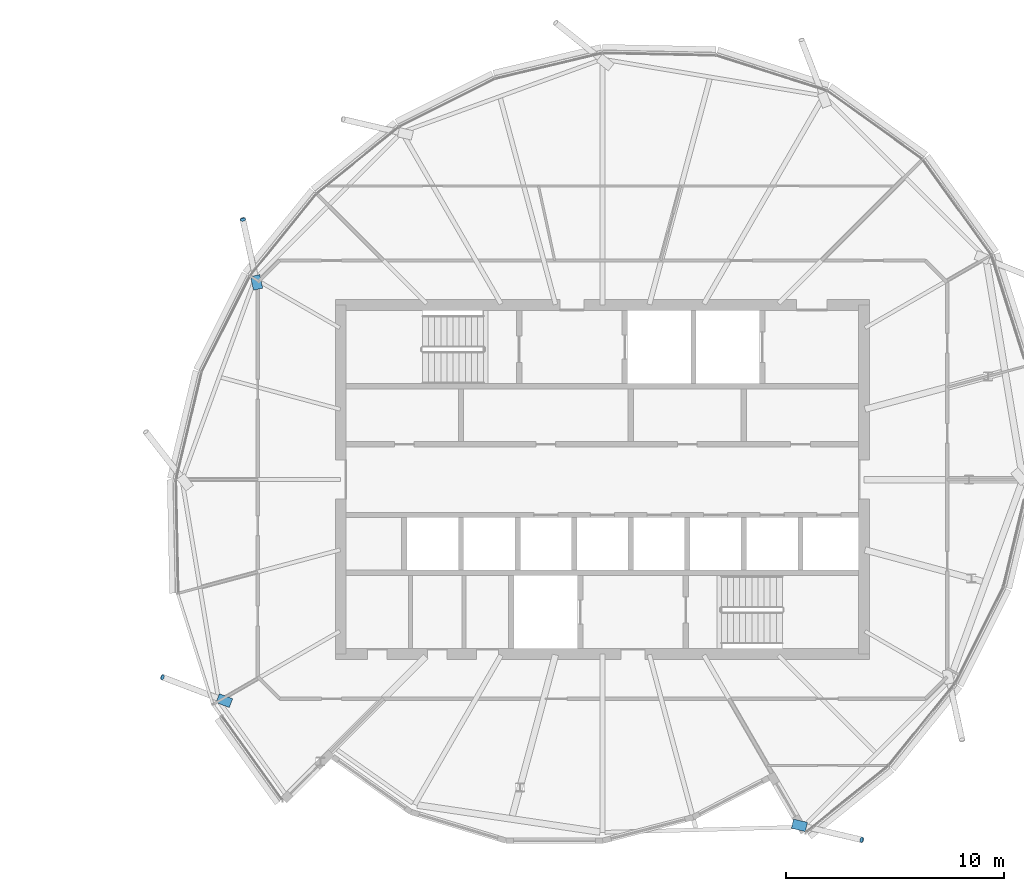
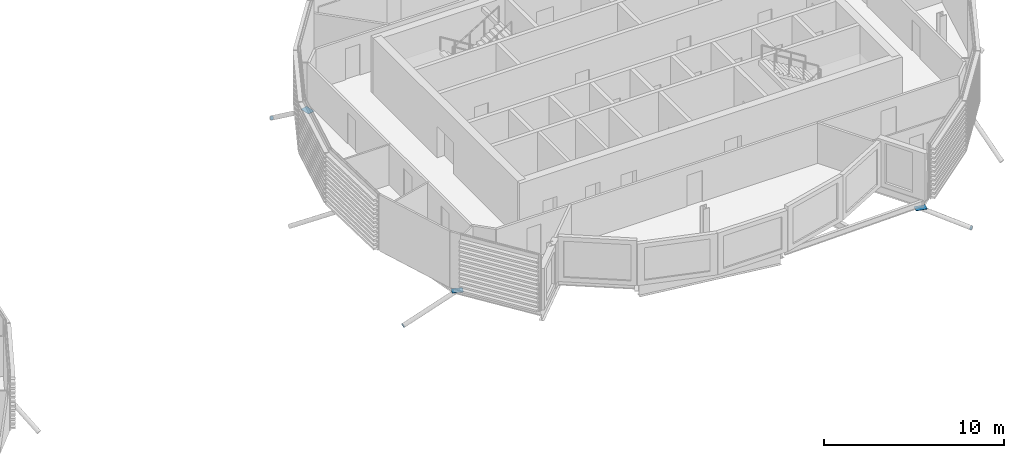
# One storey, part 28 of 35: 6 discrete accessories.
"""IFC4 building model written with IfcOpenShell, lengths in metres."""

from ifc_helpers import new_model, si_unit, direction, frame, origin, origin_2d, place, context, subcontext, project, spatial, polyline, rectangle, circle, outline, extrude, material, material_profile, profile_set, type_object, element, save


model = new_model("IFC4")

# Units and contexts
model_context = context("Model", 3, precision=1e-05, world=origin(), true_north=direction((0.0, 1.0)))
body_context = subcontext(model_context, "Body", "Model", "MODEL_VIEW")
ifc_project = project(units=[si_unit("LENGTHUNIT", "METRE"), si_unit("AREAUNIT", "SQUARE_METRE"), si_unit("VOLUMEUNIT", "CUBIC_METRE"), si_unit("PLANEANGLEUNIT", "RADIAN"), si_unit("MASSUNIT", "GRAM", prefix="KILO")], contexts=[model_context])

# Site, building, storey
site_placement = place(None, origin())
site = spatial("IfcSite", under=ifc_project, at=site_placement, CompositionType="ELEMENT")
building_placement = place(site_placement, origin())
building = spatial("IfcBuilding", under=site, at=building_placement, Name="Rimbun Link Towers", CompositionType="ELEMENT")
storey_placement = place(building_placement, frame((0.0, 0.0, 229.5)))
storey = spatial("IfcBuildingStorey", under=building, at=storey_placement, Name="L56", CompositionType="ELEMENT", Elevation=229.5)

# Discrete accessories
ifc_material_1 = material(Name="Steel S355J2H", Category="steel")
ifc_material_profile_1 = material_profile(ifc_material_1, circle(Radius=0.1240234375, at=origin_2d()), Name="PL D248")
ifc_profile_set_1 = profile_set([ifc_material_profile_1], Name="Steel S355J2H")
discrete_accessory_type_1 = type_object("IfcDiscreteAccessoryType", Name="Link foot sealing plate D248X20", PredefinedType="BRACKET", material=ifc_profile_set_1)
for number, where, z_axis, x_axis, name in (
    (1, (15.265869140625, 11.91796875, -2.5009765625), (-0.182035617742, 0.800956718064, -0.570378268924), (-0.975132855791, -0.221621103589, 0.0), "Link foot sealing plate T2 L56 07"),
    (2, (11.5810546875, -9.063232421875, -2.537109375), (-0.782059551443, 0.293272331791, -0.549885622109), (-0.351123441588, -0.936329177569, 0.0), "Link foot sealing plate T2 L56 11"),
):
    element("IfcDiscreteAccessory", number, at=place(storey_placement, frame(where, z_axis=z_axis, x_axis=x_axis)), inside=storey, type_object=discrete_accessory_type_1, Name=name, PredefinedType="BRACKET", context=body_context, shape_type="SweptSolid", body=[
        extrude(circle(Radius=0.1240234375, at=origin_2d()), origin(), (0.0, 0.0, 1.0), 0.02001953125),
    ])
discrete_accessory_1_placement = place(storey_placement, frame((43.62841796875, -16.5166015625, -2.62451171875), z_axis=(0.810136177929, -0.196396649195, -0.552365575861), x_axis=(0.235600025622, 0.971850105689, 0.0)))
element("IfcDiscreteAccessory", 3, at=discrete_accessory_1_placement, inside=storey, type_object=discrete_accessory_type_1, Name="Link foot sealing plate T2 L56 17", PredefinedType="BRACKET", context=body_context, shape_type="SweptSolid", body=[
    extrude(circle(Radius=0.1240234375, at=origin_2d()), origin(), (0.0, 0.0, 1.0), 0.019775390625),
])
ifc_material_2 = material(Name="Steel S355J2H", Category="steel")
ifc_material_profile_2 = material_profile(ifc_material_2, rectangle(XDim=0.43310546875, YDim=0.43310546875, at=origin_2d()), Name="PL 433x433")
ifc_profile_set_2 = profile_set([ifc_material_profile_2], Name="Steel S355J2H")
discrete_accessory_type_2 = type_object("IfcDiscreteAccessoryType", Name="Link head end plate 433X20", PredefinedType="BRACKET", material=ifc_profile_set_2)
discrete_accessory_2_placement = place(storey_placement, frame((0.0, 0.0, -0.46337890625)))
element("IfcDiscreteAccessory", 4, at=discrete_accessory_2_placement, inside=storey, type_object=discrete_accessory_type_2, Name="Link head end plate T2 L56 07", PredefinedType="BRACKET", context=body_context, shape_type="SweptSolid", body=[
    extrude(outline(polyline([(16.17138671875, 8.775390625), (16.035400390625, 9.400390625), (15.6123046875, 9.308349609375), (15.748291015625, 8.683349609375), (16.17138671875, 8.775390625)])), origin(), (0.0, 0.0, 1.0), 0.02001953125),
])
discrete_accessory_3_placement = place(storey_placement, frame((0.0, 0.0, -0.514892578125)))
element("IfcDiscreteAccessory", 5, at=discrete_accessory_3_placement, inside=storey, type_object=discrete_accessory_type_2, Name="Link head end plate T2 L56 11", PredefinedType="BRACKET", context=body_context, shape_type="SweptSolid", body=[
    extrude(outline(polyline([(14.79296875, -10.048583984375), (14.183837890625, -9.817626953125), (14.030517578125, -10.22265625), (14.6396484375, -10.45361328125), (14.79296875, -10.048583984375)])), origin(), (0.0, 0.0, 1.0), 0.019775390625),
])
discrete_accessory_4_placement = place(storey_placement, frame((0.0, 0.0, -0.693115234375)))
element("IfcDiscreteAccessory", 6, at=discrete_accessory_4_placement, inside=storey, type_object=discrete_accessory_type_2, Name="Link head end plate T2 L56 17", PredefinedType="BRACKET", context=body_context, shape_type="SweptSolid", body=[
    extrude(outline(polyline([(40.415771484375, -15.990966796875), (41.0537109375, -16.139404296875), (41.15185546875, -15.7177734375), (40.513916015625, -15.5693359375), (40.415771484375, -15.990966796875)])), origin(), (0.0, 0.0, 1.0), 0.02001953125),
])

save(model, "model.ifc")
